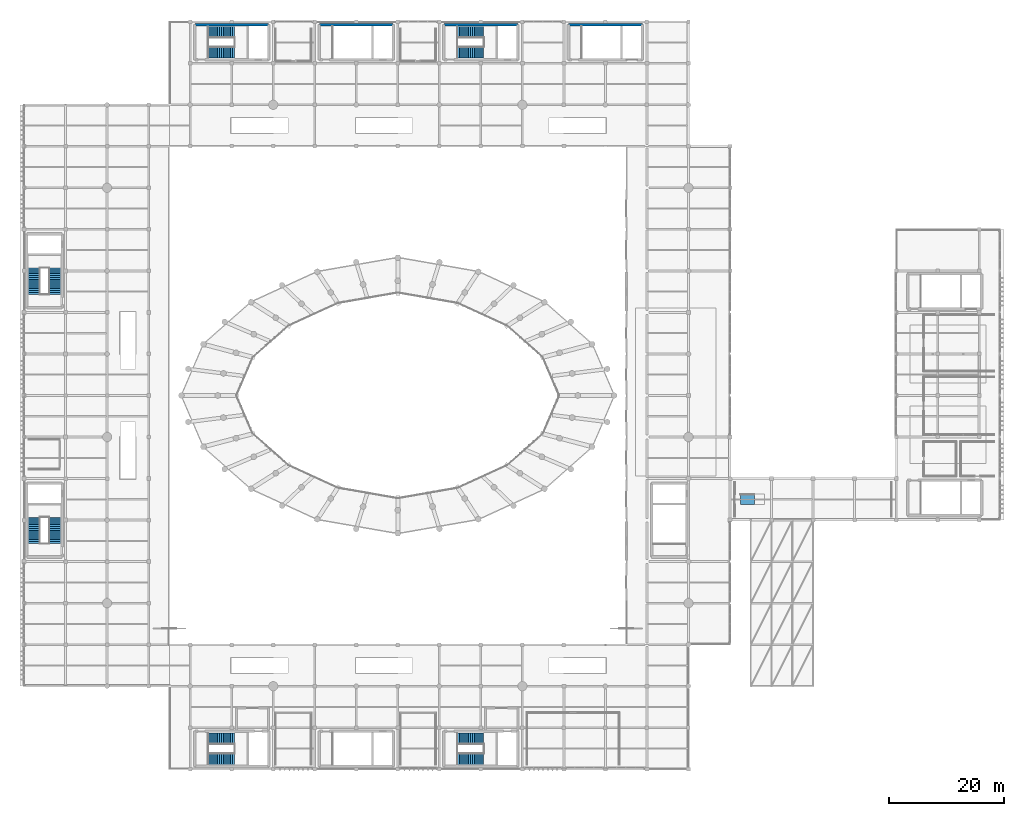
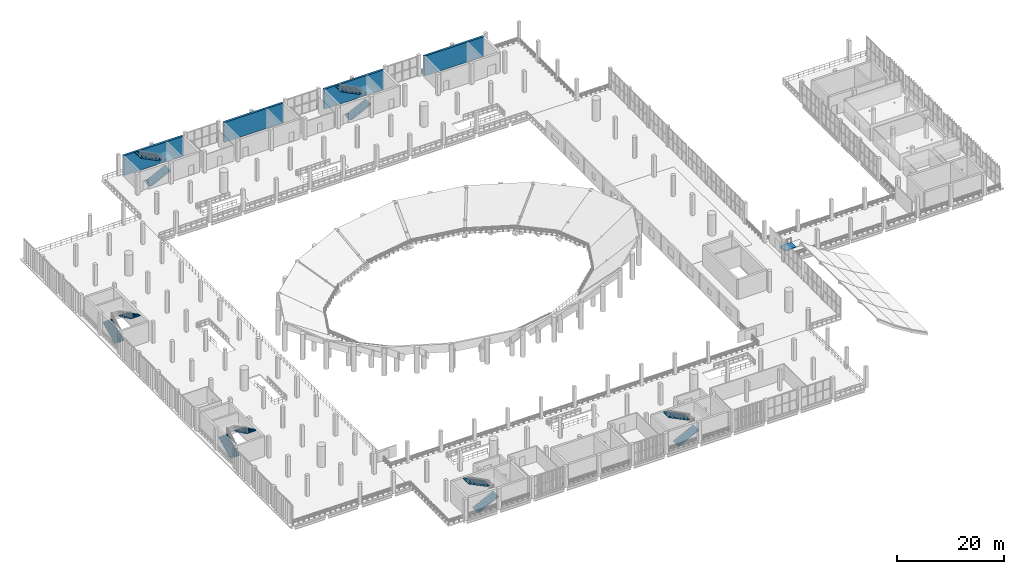
# One storey, part 88 of 105: 12 stair flights, 4 walls, 1 ramp flight, 7 elements without a shape of their own.
"""IFC4 building model written with IfcOpenShell, lengths in metres."""

import ifcopenshell
import ifcopenshell.guid

model = None  # the IFC model being written
_history = None  # IfcOwnerHistory: only IFC2X3 demands one
_inside = {}  # id of a spatial element -> (the spatial element, [elements in it])
_under = {}  # id of a project, library or spatial element -> (it, [spatial elements below it])
_declared = {}  # id of a project -> (the project, [libraries it declares])
_typed = {}  # id of a type object -> (the type object, [elements of that type])
_made_of = {}  # id of a material, layer set ... -> (it, [elements and type objects made of it])


def new_model(schema):
    """Start an empty IFC model of exactly this schema.

    Asked for "IFC4X3", IfcOpenShell would pick the latest addendum, in which some entities
    have other attributes; the version numbers below select the first issue.
    IFC2X3 requires an IfcOwnerHistory on every rooted entity: one is made here for all.
    """
    global model, _history
    if schema == "IFC4X3":
        model = ifcopenshell.file(schema_version=(4, 3, 0, 0))
    else:
        model = ifcopenshell.file(schema=schema)
    _inside.clear()
    _under.clear()
    _declared.clear()
    _typed.clear()
    _made_of.clear()
    _history = None
    if model.schema == "IFC2X3":
        org = make("IfcOrganization", Name="unknown")
        user = make(
            "IfcPersonAndOrganization",
            ThePerson=make("IfcPerson", FamilyName="unknown"),
            TheOrganization=org,
        )
        app = make(
            "IfcApplication",
            ApplicationDeveloper=org,
            Version="unknown",
            ApplicationFullName="unknown",
            ApplicationIdentifier="unknown",
        )
        _history = make(
            "IfcOwnerHistory",
            OwningUser=user,
            OwningApplication=app,
            ChangeAction="ADDED",
            CreationDate=0,
        )
    return model


def make(cls, **values):
    """One entity of the class cls with the attributes given. An attribute that is None is left unset."""
    return model.create_entity(
        cls, **{name: value for name, value in values.items() if value is not None}
    )


def rooted(cls, **values):
    """An entity with a GlobalId (a new one), such as an element, a storey or a relation."""
    return make(cls, GlobalId=ifcopenshell.guid.new(), OwnerHistory=_history, **values)


def si_unit(unit_type, name, prefix=None):
    """IfcSIUnit, for example si_unit("LENGTHUNIT", "METRE", prefix="MILLI")."""
    return make("IfcSIUnit", UnitType=unit_type, Prefix=prefix, Name=name)


def assignment(units):
    """IfcUnitAssignment: the units of a project."""
    return None if units is None else make("IfcUnitAssignment", Units=units)


def point(xyz):
    """IfcCartesianPoint."""
    return None if xyz is None else make("IfcCartesianPoint", Coordinates=xyz)


def direction(xyz):
    """IfcDirection."""
    return None if xyz is None else make("IfcDirection", DirectionRatios=xyz)


def frame(location, z_axis=None, x_axis=None):
    """IfcAxis2Placement3D, a coordinate frame: its origin and axes. An axis left out is left unset."""
    return make(
        "IfcAxis2Placement3D",
        Location=point(location),
        Axis=direction(z_axis),
        RefDirection=direction(x_axis),
    )


def frame_2d(location, x_axis=None):
    """IfcAxis2Placement2D, a coordinate frame in the plane: its origin and x axis."""
    return make(
        "IfcAxis2Placement2D", Location=point(location), RefDirection=direction(x_axis)
    )


def origin():
    """The frame at (0, 0, 0) with its axes left unset."""
    return frame((0.0, 0.0, 0.0))


def place(relative_to, where):
    """IfcLocalPlacement: puts the frame where relative to a parent placement (None: the world)."""
    return make(
        "IfcLocalPlacement", PlacementRelTo=relative_to, RelativePlacement=where
    )


def context(
    kind, dimensions, precision=None, world=None, true_north=None, identifier=None
):
    """IfcGeometricRepresentationContext, for example the 3D "Model" context."""
    return make(
        "IfcGeometricRepresentationContext",
        ContextIdentifier=identifier,
        ContextType=kind,
        CoordinateSpaceDimension=dimensions,
        Precision=precision,
        WorldCoordinateSystem=world,
        TrueNorth=true_north,
    )


def subcontext(parent, identifier, kind, view, scale=None):
    """IfcGeometricRepresentationSubContext, for example "Body" below "Model"."""
    return make(
        "IfcGeometricRepresentationSubContext",
        ContextIdentifier=identifier,
        ContextType=kind,
        ParentContext=parent,
        TargetScale=scale,
        TargetView=view,
    )


def project(units=None, contexts=None):
    """IfcProject with its units and contexts."""
    return rooted(
        "IfcProject",
        Name="project",
        RepresentationContexts=contexts,
        UnitsInContext=assignment(units),
    )


def spatial(cls, under=None, at=None, **own):
    """A site, building, storey or space (cls), placed at a placement, below another one or the project."""
    s = rooted(cls, ObjectPlacement=at, **own)
    if under is not None:
        _under.setdefault(under.id(), (under, []))[1].append(s)
    return s


def polyline(points):
    """IfcPolyline through the points."""
    return make("IfcPolyline", Points=[point(p) for p in points])


def profile(cls, at=None, kind="AREA", **sizes):
    """A parametric profile (cls). Its sizes go by their IFC names, for example OverallWidth=200.0."""
    return make(cls, ProfileType=kind, Position=at, **sizes)


def rectangle(**sizes):
    """IfcRectangleProfileDef."""
    return profile("IfcRectangleProfileDef", **sizes)


def outline(outer, holes=None, kind="AREA"):
    """IfcArbitraryClosedProfileDef: a profile drawn as a closed curve; with holes, ...WithVoids."""
    if holes is None:
        return make("IfcArbitraryClosedProfileDef", ProfileType=kind, OuterCurve=outer)
    return make(
        "IfcArbitraryProfileDefWithVoids",
        ProfileType=kind,
        OuterCurve=outer,
        InnerCurves=holes,
    )


def extrude(swept, where, along, depth):
    """IfcExtrudedAreaSolid: the profile swept, set in the frame where, extruded along a direction by depth."""
    return make(
        "IfcExtrudedAreaSolid",
        SweptArea=swept,
        Position=where,
        ExtrudedDirection=direction(along),
        Depth=depth,
    )


def shape(context_of_items, identifier, shape_type, items):
    """IfcShapeRepresentation: the items that make up one representation, for example the "Body"."""
    return make(
        "IfcShapeRepresentation",
        ContextOfItems=context_of_items,
        RepresentationIdentifier=identifier,
        RepresentationType=shape_type,
        Items=items,
    )


def material(Name=None, Category=None):
    """IfcMaterial."""
    return make("IfcMaterial", Name=Name, Category=Category)


def layer(
    of_material, thickness, ventilated=None, Name=None, Category=None, Priority=None
):
    """IfcMaterialLayer: one layer of a wall or slab, of a material (None: an air gap)."""
    return make(
        "IfcMaterialLayer",
        Material=of_material,
        LayerThickness=thickness,
        IsVentilated=ventilated,
        Name=Name,
        Category=Category,
        Priority=Priority,
    )


def layer_set(layers, Name=None):
    """IfcMaterialLayerSet."""
    return make("IfcMaterialLayerSet", MaterialLayers=layers, LayerSetName=Name)


def made_of(thing, what):
    """Note that an element or type object is made of a material, layer set ...; save() writes the relation."""
    if what is not None:
        _made_of.setdefault(what.id(), (what, []))[1].append(thing)
    return thing


def type_object(cls, material=None, **own):
    """A type object (cls), such as IfcWallType, which elements share."""
    return made_of(rooted(cls, **own), material)


def element(
    cls,
    number,
    at=None,
    inside=None,
    cuts=None,
    type_object=None,
    material=None,
    context=None,
    identifier="Body",
    shape_type=None,
    held_by="IfcProductDefinitionShape",
    body=None,
    shapes=None,
    **own,
):
    """One element of the class cls, such as IfcWall. Its Tag is "e" and its number.

    at: its placement. inside: the storey or other place that contains it. cuts: it is an
    opening in that element (IfcRelVoidsElement). A single representation is given by context,
    identifier, shape_type and body (its items); several are given by shapes. held_by: the class
    of the entity that holds the representations. save() writes the other relations.
    """
    e = rooted(cls, Tag="e%d" % number, ObjectPlacement=at, **own)
    if body is not None:
        shapes = [shape(context, identifier, shape_type, body)]
    if shapes is not None:
        e.Representation = make(held_by, Representations=shapes)
    if inside is not None:
        _inside.setdefault(inside.id(), (inside, []))[1].append(e)
    if cuts is not None:
        rooted(
            "IfcRelVoidsElement", RelatingBuildingElement=cuts, RelatedOpeningElement=e
        )
    if type_object is not None:
        _typed.setdefault(type_object.id(), (type_object, []))[1].append(e)
    return made_of(e, material)


def aggregate(whole, parts):
    """IfcRelAggregates: a whole, such as a stair, and the parts it consists of."""
    return rooted("IfcRelAggregates", RelatingObject=whole, RelatedObjects=parts)


def save(model, path):
    """Write the relations noted so far, then the file.

    IfcRelAggregates (storeys below a building ...), IfcRelContainedInSpatialStructure (elements
    in a storey), IfcRelDefinesByType, IfcRelAssociatesMaterial and IfcRelDeclares: one each for
    every whole, place, type object, material and project.
    """
    for whole, parts in _under.values():
        aggregate(whole, parts)
    for where, things in _inside.values():
        rooted(
            "IfcRelContainedInSpatialStructure",
            RelatedElements=things,
            RelatingStructure=where,
        )
    for kind, things in _typed.values():
        rooted("IfcRelDefinesByType", RelatedObjects=things, RelatingType=kind)
    for what, things in _made_of.values():
        rooted("IfcRelAssociatesMaterial", RelatedObjects=things, RelatingMaterial=what)
    for by, libraries in _declared.values():
        rooted("IfcRelDeclares", RelatingContext=by, RelatedDefinitions=libraries)
    model.write(path)


model = new_model("IFC4")

# Units and contexts
model_context = context("Model", 3, precision=1e-05, world=origin(), true_north=direction((0.0, 1.0)))
body_context = subcontext(model_context, "Body", "Model", "MODEL_VIEW")
ifc_project = project(units=[si_unit("LENGTHUNIT", "METRE"), si_unit("AREAUNIT", "SQUARE_METRE"), si_unit("VOLUMEUNIT", "CUBIC_METRE"), si_unit("PLANEANGLEUNIT", "RADIAN"), si_unit("MASSUNIT", "GRAM", prefix="KILO")], contexts=[model_context])

# Site, building, storey
site_placement = place(None, origin())
site = spatial("IfcSite", under=ifc_project, at=site_placement, CompositionType="ELEMENT")
building_placement = place(site_placement, origin())
building = spatial("IfcBuilding", under=site, at=building_placement, Name="Qandorah Velis Arena", CompositionType="ELEMENT")
storey_placement = place(building_placement, frame((0.0, 0.0, 13.800048828125)))
storey = spatial("IfcBuildingStorey", under=building, at=storey_placement, Name="L03", CompositionType="ELEMENT", Elevation=13.800048828125)

# Walls
ifc_material = material(Name="Concrete C40/50", Category="concrete")
ifc_layer_1 = layer(ifc_material, 0.449951171875)
ifc_layer_set_1 = layer_set([ifc_layer_1], Name="Concrete C40/50")
wall_type = type_object("IfcWallType", Name="STR-WAL-CORE450", PredefinedType="SHEAR", material=ifc_layer_set_1)
wall_placement = place(storey_placement, frame((29.60009765625, 129.10009765625, 0.0), z_axis=(0.0, 0.0, 1.0), x_axis=(1.0, 0.0, 0.0)))
element("IfcWall", 1, at=wall_placement, inside=storey, type_object=wall_type, Name="Core CORE-03 shear wall N (L03)", PredefinedType="SHEAR", context=body_context, shape_type="SweptSolid", body=[
    extrude(rectangle(XDim=12.7998046875, YDim=0.449951171875, at=frame_2d((6.39990234375, 0.0))), origin(), (0.0, 0.0, 1.0), 4.530029296875),
])
for number, where, z_axis, x_axis, name in (
    (2, (72.800048828125, 129.10009765625, 0.0), (0.0, 0.0, 1.0), (1.0, 0.0, 0.0), "Core CORE-04 shear wall N (L03)"),
    (3, (51.199951171875, 129.10009765625, 0.0), (0.0, 0.0, 1.0), (1.0, 0.0, 0.0), "Core CORE-10 shear wall N (L03)"),
    (4, (94.39990234375, 129.10009765625, 0.0), (0.0, 0.0, 1.0), (1.0, 0.0, 0.0), "Core CORE-12 shear wall N (L03)"),
):
    element("IfcWall", number, at=place(storey_placement, frame(where, z_axis=z_axis, x_axis=x_axis)), inside=storey, type_object=wall_type, Name=name, PredefinedType="SHEAR", context=body_context, shape_type="SweptSolid", body=[
        extrude(rectangle(XDim=12.800048828125, YDim=0.449951171875, at=frame_2d((6.39990234375, 0.0))), origin(), (0.0, 0.0, 1.0), 4.530029296875),
    ])

# Stair, stair flights
stair_type = type_object("IfcStairType", Name="ARC-ST-CORE48", PredefinedType="HALF_TURN_STAIR", material=ifc_material)
stair_1_placement = place(storey_placement, origin())
stair_1 = element("IfcStair", 5, at=stair_1_placement, inside=storey, type_object=stair_type, Name="Protected exit stair ST1 (L03)", PredefinedType="HALF_TURN_STAIR")
stair_flight_type = type_object("IfcStairFlightType", Name="ARC-STF-1650", PredefinedType="STRAIGHT", material=ifc_material)
stair_flight_1_placement = place(storey_placement, frame((31.949951171875, 1.800048828125, 0.0), z_axis=(0.0, 0.0, 1.0), x_axis=(1.0, 0.0, 0.0)))
stair_flight_1 = element("IfcStairFlight", 6, at=stair_flight_1_placement, type_object=stair_flight_type, Name="ST1 flight 1", NumberOfRisers=15, NumberOfTreads=14, PredefinedType="STRAIGHT", RiserHeight=0.16, TreadLength=0.324, context=body_context, shape_type="SweptSolid", body=[
    extrude(outline(polyline([(0.0, 0.0), (0.0, 0.159912109375), (0.323974609375, 0.159912109375), (0.323974609375, 0.320068359375), (0.64794921875, 0.320068359375), (0.64794921875, 0.47998046875), (0.971923828125, 0.47998046875), (0.971923828125, 0.639892578125), (1.2958984375, 0.639892578125), (1.2958984375, 0.800048828125), (1.6201171875, 0.800048828125), (1.6201171875, 0.9599609375), (1.944091796875, 0.9599609375), (1.944091796875, 1.1201171875), (2.26806640625, 1.1201171875), (2.26806640625, 1.280029296875), (2.592041015625, 1.280029296875), (2.592041015625, 1.43994140625), (2.916015625, 1.43994140625), (2.916015625, 1.60009765625), (3.239990234375, 1.60009765625), (3.239990234375, 1.760009765625), (3.56396484375, 1.760009765625), (3.56396484375, 1.919921875), (3.887939453125, 1.919921875), (3.887939453125, 2.080078125), (4.2119140625, 2.080078125), (4.2119140625, 2.239990234375), (4.535888671875, 2.239990234375), (4.535888671875, 2.39990234375), (4.535888671875, 1.99462890625), (0.496826171875, 0.0), (0.0, 0.0)])), frame((0.0, 0.989990234375, 0.0), z_axis=(0.0, -1.0, 0.0), x_axis=(1.0, 0.0, 0.0)), (0.0, 0.0, 1.0), 1.97998046875),
])
stair_flight_2_placement = place(storey_placement, frame((36.486083984375, 5.300048828125, 2.39990234375), z_axis=(0.0, 0.0, 1.0), x_axis=(-1.0, 0.0, 0.0)))
stair_flight_2 = element("IfcStairFlight", 7, at=stair_flight_2_placement, type_object=stair_flight_type, Name="ST1 flight 2", NumberOfRisers=15, NumberOfTreads=14, PredefinedType="STRAIGHT", RiserHeight=0.16, TreadLength=0.324, context=body_context, shape_type="SweptSolid", body=[
    extrude(outline(polyline([(0.0, 0.0), (0.0, 0.159912109375), (0.323974609375, 0.159912109375), (0.323974609375, 0.320068359375), (0.64794921875, 0.320068359375), (0.64794921875, 0.47998046875), (0.971923828125, 0.47998046875), (0.971923828125, 0.639892578125), (1.2958984375, 0.639892578125), (1.2958984375, 0.800048828125), (1.6201171875, 0.800048828125), (1.6201171875, 0.9599609375), (1.944091796875, 0.9599609375), (1.944091796875, 1.1201171875), (2.26806640625, 1.1201171875), (2.26806640625, 1.280029296875), (2.592041015625, 1.280029296875), (2.592041015625, 1.43994140625), (2.916015625, 1.43994140625), (2.916015625, 1.60009765625), (3.239990234375, 1.60009765625), (3.239990234375, 1.760009765625), (3.56396484375, 1.760009765625), (3.56396484375, 1.919921875), (3.887939453125, 1.919921875), (3.887939453125, 2.080078125), (4.2119140625, 2.080078125), (4.2119140625, 2.239990234375), (4.535888671875, 2.239990234375), (4.535888671875, 2.39990234375), (4.535888671875, 1.99462890625), (0.496826171875, 0.0), (0.0, 0.0)])), frame((0.0, 0.989990234375, 0.0), z_axis=(0.0, -1.0, 0.0), x_axis=(1.0, 0.0, 0.0)), (0.0, 0.0, 1.0), 1.97998046875),
])
aggregate(stair_1, [stair_flight_1, stair_flight_2])

stair_2_placement = place(storey_placement, origin())
stair_2 = element("IfcStair", 8, at=stair_2_placement, inside=storey, type_object=stair_type, Name="Protected exit stair ST2 (L03)", PredefinedType="HALF_TURN_STAIR")
stair_flight_3_placement = place(storey_placement, frame((75.14990234375, 1.800048828125, 0.0), z_axis=(0.0, 0.0, 1.0), x_axis=(1.0, 0.0, 0.0)))
stair_flight_3 = element("IfcStairFlight", 9, at=stair_flight_3_placement, type_object=stair_flight_type, Name="ST2 flight 1", NumberOfRisers=15, NumberOfTreads=14, PredefinedType="STRAIGHT", RiserHeight=0.16, TreadLength=0.324, context=body_context, shape_type="SweptSolid", body=[
    extrude(outline(polyline([(0.0, 0.0), (0.0, 0.159912109375), (0.323974609375, 0.159912109375), (0.323974609375, 0.320068359375), (0.64794921875, 0.320068359375), (0.64794921875, 0.47998046875), (0.971923828125, 0.47998046875), (0.971923828125, 0.639892578125), (1.2958984375, 0.639892578125), (1.2958984375, 0.800048828125), (1.6201171875, 0.800048828125), (1.6201171875, 0.9599609375), (1.944091796875, 0.9599609375), (1.944091796875, 1.1201171875), (2.26806640625, 1.1201171875), (2.26806640625, 1.280029296875), (2.592041015625, 1.280029296875), (2.592041015625, 1.43994140625), (2.916015625, 1.43994140625), (2.916015625, 1.60009765625), (3.239990234375, 1.60009765625), (3.239990234375, 1.760009765625), (3.56396484375, 1.760009765625), (3.56396484375, 1.919921875), (3.887939453125, 1.919921875), (3.887939453125, 2.080078125), (4.2119140625, 2.080078125), (4.2119140625, 2.239990234375), (4.535888671875, 2.239990234375), (4.535888671875, 2.39990234375), (4.535888671875, 1.99462890625), (0.496826171875, 0.0), (0.0, 0.0)])), frame((0.0, 0.989990234375, 0.0), z_axis=(0.0, -1.0, 0.0), x_axis=(1.0, 0.0, 0.0)), (0.0, 0.0, 1.0), 1.97998046875),
])
stair_flight_4_placement = place(storey_placement, frame((79.68603515625, 5.300048828125, 2.39990234375), z_axis=(0.0, 0.0, 1.0), x_axis=(-1.0, 0.0, 0.0)))
stair_flight_4 = element("IfcStairFlight", 10, at=stair_flight_4_placement, type_object=stair_flight_type, Name="ST2 flight 2", NumberOfRisers=15, NumberOfTreads=14, PredefinedType="STRAIGHT", RiserHeight=0.16, TreadLength=0.324, context=body_context, shape_type="SweptSolid", body=[
    extrude(outline(polyline([(0.0, 0.0), (0.0, 0.159912109375), (0.323974609375, 0.159912109375), (0.323974609375, 0.320068359375), (0.64794921875, 0.320068359375), (0.64794921875, 0.47998046875), (0.971923828125, 0.47998046875), (0.971923828125, 0.639892578125), (1.2958984375, 0.639892578125), (1.2958984375, 0.800048828125), (1.6201171875, 0.800048828125), (1.6201171875, 0.9599609375), (1.944091796875, 0.9599609375), (1.944091796875, 1.1201171875), (2.26806640625, 1.1201171875), (2.26806640625, 1.280029296875), (2.592041015625, 1.280029296875), (2.592041015625, 1.43994140625), (2.916015625, 1.43994140625), (2.916015625, 1.60009765625), (3.239990234375, 1.60009765625), (3.239990234375, 1.760009765625), (3.56396484375, 1.760009765625), (3.56396484375, 1.919921875), (3.887939453125, 1.919921875), (3.887939453125, 2.080078125), (4.2119140625, 2.080078125), (4.2119140625, 2.239990234375), (4.535888671875, 2.239990234375), (4.535888671875, 2.39990234375), (4.535888671875, 1.99462890625), (0.496826171875, 0.0), (0.0, 0.0)])), frame((0.0, 0.989990234375, 0.0), z_axis=(0.0, -1.0, 0.0), x_axis=(1.0, 0.0, 0.0)), (0.0, 0.0, 1.0), 1.97998046875),
])
aggregate(stair_2, [stair_flight_3, stair_flight_4])

stair_3_placement = place(storey_placement, origin())
stair_3 = element("IfcStair", 11, at=stair_3_placement, inside=storey, type_object=stair_type, Name="Protected exit stair ST3 (L03)", PredefinedType="HALF_TURN_STAIR")
stair_flight_5_placement = place(storey_placement, frame((31.949951171875, 124.300048828125, 0.0), z_axis=(0.0, 0.0, 1.0), x_axis=(1.0, 0.0, 0.0)))
stair_flight_5 = element("IfcStairFlight", 12, at=stair_flight_5_placement, type_object=stair_flight_type, Name="ST3 flight 1", NumberOfRisers=15, NumberOfTreads=14, PredefinedType="STRAIGHT", RiserHeight=0.16, TreadLength=0.324, context=body_context, shape_type="SweptSolid", body=[
    extrude(outline(polyline([(0.0, 0.0), (0.0, 0.159912109375), (0.323974609375, 0.159912109375), (0.323974609375, 0.320068359375), (0.64794921875, 0.320068359375), (0.64794921875, 0.47998046875), (0.971923828125, 0.47998046875), (0.971923828125, 0.639892578125), (1.2958984375, 0.639892578125), (1.2958984375, 0.800048828125), (1.6201171875, 0.800048828125), (1.6201171875, 0.9599609375), (1.944091796875, 0.9599609375), (1.944091796875, 1.1201171875), (2.26806640625, 1.1201171875), (2.26806640625, 1.280029296875), (2.592041015625, 1.280029296875), (2.592041015625, 1.43994140625), (2.916015625, 1.43994140625), (2.916015625, 1.60009765625), (3.239990234375, 1.60009765625), (3.239990234375, 1.760009765625), (3.56396484375, 1.760009765625), (3.56396484375, 1.919921875), (3.887939453125, 1.919921875), (3.887939453125, 2.080078125), (4.2119140625, 2.080078125), (4.2119140625, 2.239990234375), (4.535888671875, 2.239990234375), (4.535888671875, 2.39990234375), (4.535888671875, 1.99462890625), (0.496826171875, 0.0), (0.0, 0.0)])), frame((0.0, 0.989990234375, 0.0), z_axis=(0.0, -1.0, 0.0), x_axis=(1.0, 0.0, 0.0)), (0.0, 0.0, 1.0), 1.97998046875),
])
stair_flight_6_placement = place(storey_placement, frame((36.486083984375, 127.800048828125, 2.39990234375), z_axis=(0.0, 0.0, 1.0), x_axis=(-1.0, 0.0, 0.0)))
stair_flight_6 = element("IfcStairFlight", 13, at=stair_flight_6_placement, type_object=stair_flight_type, Name="ST3 flight 2", NumberOfRisers=15, NumberOfTreads=14, PredefinedType="STRAIGHT", RiserHeight=0.16, TreadLength=0.324, context=body_context, shape_type="SweptSolid", body=[
    extrude(outline(polyline([(0.0, 0.0), (0.0, 0.159912109375), (0.323974609375, 0.159912109375), (0.323974609375, 0.320068359375), (0.64794921875, 0.320068359375), (0.64794921875, 0.47998046875), (0.971923828125, 0.47998046875), (0.971923828125, 0.639892578125), (1.2958984375, 0.639892578125), (1.2958984375, 0.800048828125), (1.6201171875, 0.800048828125), (1.6201171875, 0.9599609375), (1.944091796875, 0.9599609375), (1.944091796875, 1.1201171875), (2.26806640625, 1.1201171875), (2.26806640625, 1.280029296875), (2.592041015625, 1.280029296875), (2.592041015625, 1.43994140625), (2.916015625, 1.43994140625), (2.916015625, 1.60009765625), (3.239990234375, 1.60009765625), (3.239990234375, 1.760009765625), (3.56396484375, 1.760009765625), (3.56396484375, 1.919921875), (3.887939453125, 1.919921875), (3.887939453125, 2.080078125), (4.2119140625, 2.080078125), (4.2119140625, 2.239990234375), (4.535888671875, 2.239990234375), (4.535888671875, 2.39990234375), (4.535888671875, 1.99462890625), (0.496826171875, 0.0), (0.0, 0.0)])), frame((0.0, 0.989990234375, 0.0), z_axis=(0.0, -1.0, 0.0), x_axis=(1.0, 0.0, 0.0)), (0.0, 0.0, 1.0), 1.97998046875),
])
aggregate(stair_3, [stair_flight_5, stair_flight_6])

stair_4_placement = place(storey_placement, origin())
stair_4 = element("IfcStair", 14, at=stair_4_placement, inside=storey, type_object=stair_type, Name="Protected exit stair ST4 (L03)", PredefinedType="HALF_TURN_STAIR")
stair_flight_7_placement = place(storey_placement, frame((75.14990234375, 124.300048828125, 0.0), z_axis=(0.0, 0.0, 1.0), x_axis=(1.0, 0.0, 0.0)))
stair_flight_7 = element("IfcStairFlight", 15, at=stair_flight_7_placement, type_object=stair_flight_type, Name="ST4 flight 1", NumberOfRisers=15, NumberOfTreads=14, PredefinedType="STRAIGHT", RiserHeight=0.16, TreadLength=0.324, context=body_context, shape_type="SweptSolid", body=[
    extrude(outline(polyline([(0.0, 0.0), (0.0, 0.159912109375), (0.323974609375, 0.159912109375), (0.323974609375, 0.320068359375), (0.64794921875, 0.320068359375), (0.64794921875, 0.47998046875), (0.971923828125, 0.47998046875), (0.971923828125, 0.639892578125), (1.2958984375, 0.639892578125), (1.2958984375, 0.800048828125), (1.6201171875, 0.800048828125), (1.6201171875, 0.9599609375), (1.944091796875, 0.9599609375), (1.944091796875, 1.1201171875), (2.26806640625, 1.1201171875), (2.26806640625, 1.280029296875), (2.592041015625, 1.280029296875), (2.592041015625, 1.43994140625), (2.916015625, 1.43994140625), (2.916015625, 1.60009765625), (3.239990234375, 1.60009765625), (3.239990234375, 1.760009765625), (3.56396484375, 1.760009765625), (3.56396484375, 1.919921875), (3.887939453125, 1.919921875), (3.887939453125, 2.080078125), (4.2119140625, 2.080078125), (4.2119140625, 2.239990234375), (4.535888671875, 2.239990234375), (4.535888671875, 2.39990234375), (4.535888671875, 1.99462890625), (0.496826171875, 0.0), (0.0, 0.0)])), frame((0.0, 0.989990234375, 0.0), z_axis=(0.0, -1.0, 0.0), x_axis=(1.0, 0.0, 0.0)), (0.0, 0.0, 1.0), 1.97998046875),
])
stair_flight_8_placement = place(storey_placement, frame((79.68603515625, 127.800048828125, 2.39990234375), z_axis=(0.0, 0.0, 1.0), x_axis=(-1.0, 0.0, 0.0)))
stair_flight_8 = element("IfcStairFlight", 16, at=stair_flight_8_placement, type_object=stair_flight_type, Name="ST4 flight 2", NumberOfRisers=15, NumberOfTreads=14, PredefinedType="STRAIGHT", RiserHeight=0.16, TreadLength=0.324, context=body_context, shape_type="SweptSolid", body=[
    extrude(outline(polyline([(0.0, 0.0), (0.0, 0.159912109375), (0.323974609375, 0.159912109375), (0.323974609375, 0.320068359375), (0.64794921875, 0.320068359375), (0.64794921875, 0.47998046875), (0.971923828125, 0.47998046875), (0.971923828125, 0.639892578125), (1.2958984375, 0.639892578125), (1.2958984375, 0.800048828125), (1.6201171875, 0.800048828125), (1.6201171875, 0.9599609375), (1.944091796875, 0.9599609375), (1.944091796875, 1.1201171875), (2.26806640625, 1.1201171875), (2.26806640625, 1.280029296875), (2.592041015625, 1.280029296875), (2.592041015625, 1.43994140625), (2.916015625, 1.43994140625), (2.916015625, 1.60009765625), (3.239990234375, 1.60009765625), (3.239990234375, 1.760009765625), (3.56396484375, 1.760009765625), (3.56396484375, 1.919921875), (3.887939453125, 1.919921875), (3.887939453125, 2.080078125), (4.2119140625, 2.080078125), (4.2119140625, 2.239990234375), (4.535888671875, 2.239990234375), (4.535888671875, 2.39990234375), (4.535888671875, 1.99462890625), (0.496826171875, 0.0), (0.0, 0.0)])), frame((0.0, 0.989990234375, 0.0), z_axis=(0.0, -1.0, 0.0), x_axis=(1.0, 0.0, 0.0)), (0.0, 0.0, 1.0), 1.97998046875),
])
aggregate(stair_4, [stair_flight_7, stair_flight_8])

stair_5_placement = place(storey_placement, origin())
stair_5 = element("IfcStair", 17, at=stair_5_placement, inside=storey, type_object=stair_type, Name="Protected exit stair ST5 (L03)", PredefinedType="HALF_TURN_STAIR")
stair_flight_9_placement = place(storey_placement, frame((1.800048828125, 39.14990234375, 0.0), z_axis=(0.0, 0.0, 1.0), x_axis=(0.0, 1.0, 0.0)))
stair_flight_9 = element("IfcStairFlight", 18, at=stair_flight_9_placement, type_object=stair_flight_type, Name="ST5 flight 1", NumberOfRisers=15, NumberOfTreads=14, PredefinedType="STRAIGHT", RiserHeight=0.16, TreadLength=0.324, context=body_context, shape_type="SweptSolid", body=[
    extrude(outline(polyline([(0.0, 0.0), (0.0, 0.159912109375), (0.323974609375, 0.159912109375), (0.323974609375, 0.320068359375), (0.64794921875, 0.320068359375), (0.64794921875, 0.47998046875), (0.971923828125, 0.47998046875), (0.971923828125, 0.639892578125), (1.2958984375, 0.639892578125), (1.2958984375, 0.800048828125), (1.6201171875, 0.800048828125), (1.6201171875, 0.9599609375), (1.944091796875, 0.9599609375), (1.944091796875, 1.1201171875), (2.26806640625, 1.1201171875), (2.26806640625, 1.280029296875), (2.592041015625, 1.280029296875), (2.592041015625, 1.43994140625), (2.916015625, 1.43994140625), (2.916015625, 1.60009765625), (3.239990234375, 1.60009765625), (3.239990234375, 1.760009765625), (3.56396484375, 1.760009765625), (3.56396484375, 1.919921875), (3.887939453125, 1.919921875), (3.887939453125, 2.080078125), (4.2119140625, 2.080078125), (4.2119140625, 2.239990234375), (4.535888671875, 2.239990234375), (4.535888671875, 2.39990234375), (4.535888671875, 1.99462890625), (0.496826171875, 0.0), (0.0, 0.0)])), frame((0.0, 0.989990234375, 0.0), z_axis=(0.0, -1.0, 0.0), x_axis=(1.0, 0.0, 0.0)), (0.0, 0.0, 1.0), 1.97998046875),
])
stair_flight_10_placement = place(storey_placement, frame((5.300048828125, 43.68603515625, 2.39990234375), z_axis=(0.0, 0.0, 1.0), x_axis=(0.0, -1.0, 0.0)))
stair_flight_10 = element("IfcStairFlight", 19, at=stair_flight_10_placement, type_object=stair_flight_type, Name="ST5 flight 2", NumberOfRisers=15, NumberOfTreads=14, PredefinedType="STRAIGHT", RiserHeight=0.16, TreadLength=0.324, context=body_context, shape_type="SweptSolid", body=[
    extrude(outline(polyline([(0.0, 0.0), (0.0, 0.159912109375), (0.323974609375, 0.159912109375), (0.323974609375, 0.320068359375), (0.64794921875, 0.320068359375), (0.64794921875, 0.47998046875), (0.971923828125, 0.47998046875), (0.971923828125, 0.639892578125), (1.2958984375, 0.639892578125), (1.2958984375, 0.800048828125), (1.6201171875, 0.800048828125), (1.6201171875, 0.9599609375), (1.944091796875, 0.9599609375), (1.944091796875, 1.1201171875), (2.26806640625, 1.1201171875), (2.26806640625, 1.280029296875), (2.592041015625, 1.280029296875), (2.592041015625, 1.43994140625), (2.916015625, 1.43994140625), (2.916015625, 1.60009765625), (3.239990234375, 1.60009765625), (3.239990234375, 1.760009765625), (3.56396484375, 1.760009765625), (3.56396484375, 1.919921875), (3.887939453125, 1.919921875), (3.887939453125, 2.080078125), (4.2119140625, 2.080078125), (4.2119140625, 2.239990234375), (4.535888671875, 2.239990234375), (4.535888671875, 2.39990234375), (4.535888671875, 1.99462890625), (0.496826171875, 0.0), (0.0, 0.0)])), frame((0.0, 0.989990234375, 0.0), z_axis=(0.0, -1.0, 0.0), x_axis=(1.0, 0.0, 0.0)), (0.0, 0.0, 1.0), 1.97998046875),
])
aggregate(stair_5, [stair_flight_9, stair_flight_10])

stair_6_placement = place(storey_placement, origin())
stair_6 = element("IfcStair", 20, at=stair_6_placement, inside=storey, type_object=stair_type, Name="Protected exit stair ST6 (L03)", PredefinedType="HALF_TURN_STAIR")
stair_flight_11_placement = place(storey_placement, frame((1.800048828125, 82.35009765625, 0.0), z_axis=(0.0, 0.0, 1.0), x_axis=(0.0, 1.0, 0.0)))
stair_flight_11 = element("IfcStairFlight", 21, at=stair_flight_11_placement, type_object=stair_flight_type, Name="ST6 flight 1", NumberOfRisers=15, NumberOfTreads=14, PredefinedType="STRAIGHT", RiserHeight=0.16, TreadLength=0.324, context=body_context, shape_type="SweptSolid", body=[
    extrude(outline(polyline([(0.0, 0.0), (0.0, 0.159912109375), (0.323974609375, 0.159912109375), (0.323974609375, 0.320068359375), (0.64794921875, 0.320068359375), (0.64794921875, 0.47998046875), (0.971923828125, 0.47998046875), (0.971923828125, 0.639892578125), (1.2958984375, 0.639892578125), (1.2958984375, 0.800048828125), (1.6201171875, 0.800048828125), (1.6201171875, 0.9599609375), (1.944091796875, 0.9599609375), (1.944091796875, 1.1201171875), (2.26806640625, 1.1201171875), (2.26806640625, 1.280029296875), (2.592041015625, 1.280029296875), (2.592041015625, 1.43994140625), (2.916015625, 1.43994140625), (2.916015625, 1.60009765625), (3.239990234375, 1.60009765625), (3.239990234375, 1.760009765625), (3.56396484375, 1.760009765625), (3.56396484375, 1.919921875), (3.887939453125, 1.919921875), (3.887939453125, 2.080078125), (4.2119140625, 2.080078125), (4.2119140625, 2.239990234375), (4.535888671875, 2.239990234375), (4.535888671875, 2.39990234375), (4.535888671875, 1.99462890625), (0.496826171875, 0.0), (0.0, 0.0)])), frame((0.0, 0.989990234375, 0.0), z_axis=(0.0, -1.0, 0.0), x_axis=(1.0, 0.0, 0.0)), (0.0, 0.0, 1.0), 1.97998046875),
])
stair_flight_12_placement = place(storey_placement, frame((5.300048828125, 86.885986328125, 2.39990234375), z_axis=(0.0, 0.0, 1.0), x_axis=(0.0, -1.0, 0.0)))
stair_flight_12 = element("IfcStairFlight", 22, at=stair_flight_12_placement, type_object=stair_flight_type, Name="ST6 flight 2", NumberOfRisers=15, NumberOfTreads=14, PredefinedType="STRAIGHT", RiserHeight=0.16, TreadLength=0.324, context=body_context, shape_type="SweptSolid", body=[
    extrude(outline(polyline([(0.0, 0.0), (0.0, 0.159912109375), (0.323974609375, 0.159912109375), (0.323974609375, 0.320068359375), (0.64794921875, 0.320068359375), (0.64794921875, 0.47998046875), (0.971923828125, 0.47998046875), (0.971923828125, 0.639892578125), (1.2958984375, 0.639892578125), (1.2958984375, 0.800048828125), (1.6201171875, 0.800048828125), (1.6201171875, 0.9599609375), (1.944091796875, 0.9599609375), (1.944091796875, 1.1201171875), (2.26806640625, 1.1201171875), (2.26806640625, 1.280029296875), (2.592041015625, 1.280029296875), (2.592041015625, 1.43994140625), (2.916015625, 1.43994140625), (2.916015625, 1.60009765625), (3.239990234375, 1.60009765625), (3.239990234375, 1.760009765625), (3.56396484375, 1.760009765625), (3.56396484375, 1.919921875), (3.887939453125, 1.919921875), (3.887939453125, 2.080078125), (4.2119140625, 2.080078125), (4.2119140625, 2.239990234375), (4.535888671875, 2.239990234375), (4.535888671875, 2.39990234375), (4.535888671875, 1.99462890625), (0.496826171875, 0.0), (0.0, 0.0)])), frame((0.0, 0.989990234375, 0.0), z_axis=(0.0, -1.0, 0.0), x_axis=(1.0, 0.0, 0.0)), (0.0, 0.0, 1.0), 1.97998046875),
])
aggregate(stair_6, [stair_flight_11, stair_flight_12])

# Ramp, ramp flight
ramp_type = type_object("IfcRampType", Name="ARC-RMP-PED1800", PredefinedType="TWO_STRAIGHT_RUN_RAMP", material=ifc_material)
ramp_placement = place(storey_placement, origin())
ramp = element("IfcRamp", 23, at=ramp_placement, inside=storey, type_object=ramp_type, Name="Accessible pedestrian threshold ramp PR5", PredefinedType="TWO_STRAIGHT_RUN_RAMP")
ifc_layer_2 = layer(ifc_material, 0.25)
ifc_layer_set_2 = layer_set([ifc_layer_2], Name="Concrete C40/50")
ramp_flight_type = type_object("IfcRampFlightType", Name="ARC-RMF-PED1800", PredefinedType="STRAIGHT", material=ifc_layer_set_2)
ramp_flight_placement = place(storey_placement, frame((124.199951171875, 46.7998046875, 0.0), z_axis=(0.0, 0.0, 1.0), x_axis=(1.0, 0.0, 0.0)))
ramp_flight = element("IfcRampFlight", 24, at=ramp_flight_placement, type_object=ramp_flight_type, Name="Accessible pedestrian threshold ramp PR5 flight 1", PredefinedType="STRAIGHT", context=body_context, shape_type="SweptSolid", body=[
    extrude(outline(polyline([(0.0, 0.0), (2.400146484375, 0.14990234375), (2.400146484375, 0.0), (0.0, -0.14990234375), (0.0, 0.0)])), frame((0.0, 0.89990234375, 0.0), z_axis=(0.0, -1.0, 0.0), x_axis=(1.0, 0.0, 0.0)), (0.0, 0.0, 1.0), 1.800048828125),
])
aggregate(ramp, [ramp_flight])

save(model, "model.ifc")
